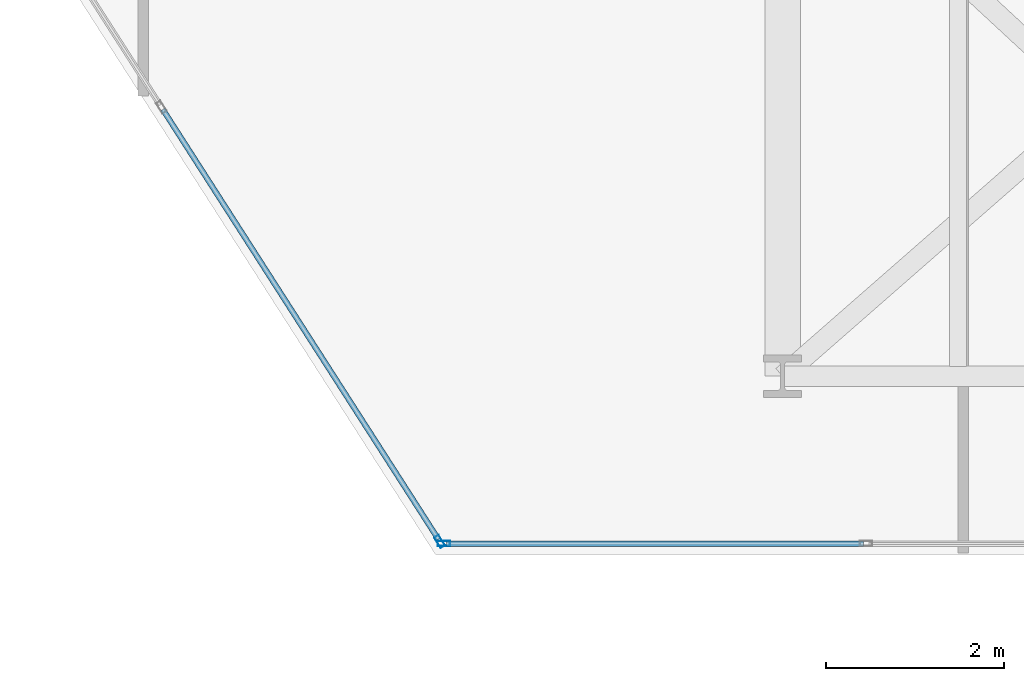
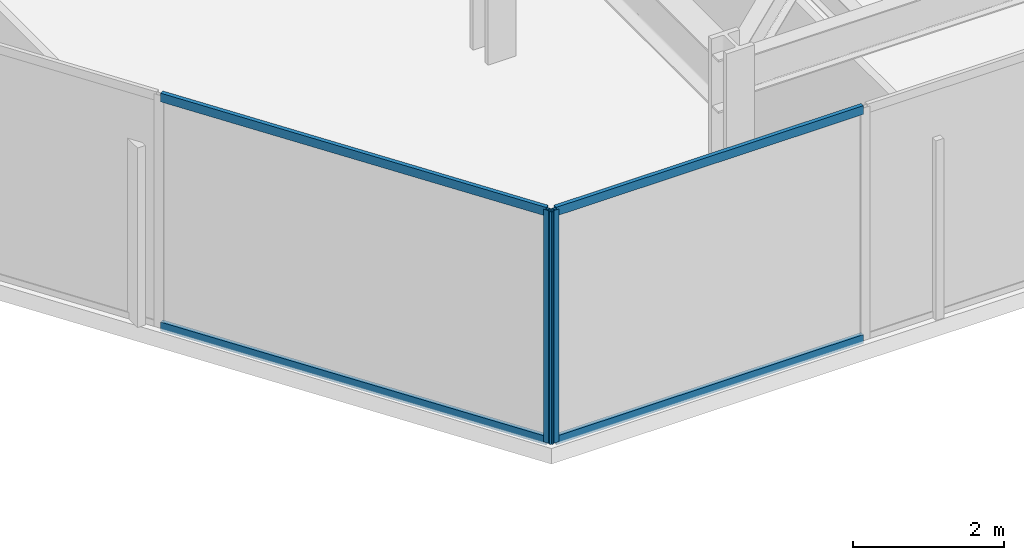
# One storey, part 9 of 24: 6 members, 2 elements without a shape of their own.
"""IFC4 building model written with IfcOpenShell, lengths in metres."""

from ifc_helpers import new_model, si_unit, direction, frame, origin, origin_2d, place, context, subcontext, project, spatial, hollow_rectangle, extrude, material, layer, layer_set, material_profile, profile_set, type_object, element, aggregate, save


model = new_model("IFC4")

# Units and contexts
model_context = context("Model", 3, precision=1e-05, world=origin(), true_north=direction((0.0, 1.0)))
body_context = subcontext(model_context, "Body", "Model", "MODEL_VIEW")
ifc_project = project(units=[si_unit("LENGTHUNIT", "METRE"), si_unit("AREAUNIT", "SQUARE_METRE"), si_unit("VOLUMEUNIT", "CUBIC_METRE"), si_unit("PLANEANGLEUNIT", "RADIAN"), si_unit("MASSUNIT", "GRAM", prefix="KILO")], contexts=[model_context])

# Site, building, storey
site_placement = place(None, origin())
site = spatial("IfcSite", under=ifc_project, at=site_placement, CompositionType="ELEMENT")
building_placement = place(site_placement, origin())
building = spatial("IfcBuilding", under=site, at=building_placement, Name="Kravanh Interchange Tower", CompositionType="ELEMENT")
storey_placement = place(building_placement, frame((0.0, 0.0, 96.0)))
storey = spatial("IfcBuildingStorey", under=building, at=storey_placement, Name="L22", CompositionType="ELEMENT", Elevation=96.0)

# Curtain wall, member
ifc_material_1 = material(Name="Anodised Bronze Aluminium", Category="aluminium")
ifc_layer = layer(ifc_material_1, 0.179931640625)
ifc_layer_set = layer_set([ifc_layer], Name="Unitised Curtain Wall System CW-Z2 Mid Office")
curtain_wall_type = type_object("IfcCurtainWallType", Name="Unitised Curtain Wall System CW-Z2 Mid Office", PredefinedType="NOTDEFINED", material=ifc_layer_set)
curtain_wall_1_placement = place(storey_placement, origin())
curtain_wall_1 = element("IfcCurtainWall", 1, at=curtain_wall_1_placement, inside=storey, type_object=curtain_wall_type, Name="L22 Unitised Curtain Wall CW-L22-03", PredefinedType="NOTDEFINED")
ifc_material_2 = material(Name="Anodised Bronze Aluminium", Category="aluminium")
ifc_material_profile_1 = material_profile(ifc_material_2, hollow_rectangle(XDim=0.06005859375, YDim=0.139892578125, WallThickness=0.00390625, at=origin_2d()), Name="ALU60X140X4")
ifc_profile_set_1 = profile_set([ifc_material_profile_1], Name="Anodised Bronze Aluminium")
member_type_1 = type_object("IfcMemberType", Name="Curtain Wall Mullion ALU60X140X4 Bronze", PredefinedType="MULLION", material=ifc_profile_set_1)
member_1_placement = place(storey_placement, frame((52.195556640625, 6.320068359375, 0.0), z_axis=(0.0, 0.0, 1.0), x_axis=(0.0, -1.0, 0.0)))
member_1 = element("IfcMember", 2, at=member_1_placement, type_object=member_type_1, Name="CW-Z2 mullion 3", PredefinedType="MULLION", context=body_context, shape_type="SweptSolid", body=[
    extrude(hollow_rectangle(XDim=0.06005859375, YDim=0.139892578125, WallThickness=0.00390625, at=origin_2d()), origin(), (0.0, 0.0, 1.0), 3.75),
])

curtain_wall_2_placement = place(storey_placement, origin())
curtain_wall_2 = element("IfcCurtainWall", 3, at=curtain_wall_2_placement, inside=storey, type_object=curtain_wall_type, Name="L22 Unitised Curtain Wall CW-L22-04", PredefinedType="NOTDEFINED")
member_2_placement = place(storey_placement, frame((52.1494140625, 6.34521484375, 0.0), z_axis=(0.0, 0.0, 1.0), x_axis=(-0.841879939476, -0.539664865919, 0.0)))
member_2 = element("IfcMember", 4, at=member_2_placement, type_object=member_type_1, Name="CW-Z2 mullion 1", PredefinedType="MULLION", context=body_context, shape_type="SweptSolid", body=[
    extrude(hollow_rectangle(XDim=0.06005859375, YDim=0.139892578125, WallThickness=0.00390625, at=origin_2d()), origin(), (0.0, 0.0, 1.0), 3.75),
])

# Member
ifc_material_3 = material(Name="Anodised Bronze Aluminium", Category="aluminium")
ifc_material_profile_2 = material_profile(ifc_material_3, hollow_rectangle(XDim=0.06005859375, YDim=0.139892578125, WallThickness=0.00390625, at=origin_2d()), Name="ALU60X140X4")
ifc_profile_set_2 = profile_set([ifc_material_profile_2], Name="Anodised Bronze Aluminium")
member_type_2 = type_object("IfcMemberType", Name="Curtain Wall Transom ALU60X140X4 Bronze", PredefinedType="USERDEFINED", material=ifc_profile_set_2)
member_3_placement = place(storey_placement, frame((56.907958984375, 6.320068359375, 0.030029296875), z_axis=(-1.0, 0.0, 0.0), x_axis=(0.0, -1.0, 0.0)))
member_3 = element("IfcMember", 5, at=member_3_placement, type_object=member_type_2, Name="CW-Z2 transom 2.1", ObjectType="TRANSOM", PredefinedType="USERDEFINED", context=body_context, shape_type="SweptSolid", body=[
    extrude(hollow_rectangle(XDim=0.06005859375, YDim=0.139892578125, WallThickness=0.00390625, at=origin_2d()), origin(), (0.0, 0.0, 1.0), 4.682373046875),
])

member_4_placement = place(storey_placement, frame((56.907958984375, 6.320068359375, 3.719970703125), z_axis=(-1.0, 0.0, 0.0), x_axis=(0.0, -1.0, 0.0)))
member_4 = element("IfcMember", 6, at=member_4_placement, type_object=member_type_2, Name="CW-Z2 transom 2.2", ObjectType="TRANSOM", PredefinedType="USERDEFINED", context=body_context, shape_type="SweptSolid", body=[
    extrude(hollow_rectangle(XDim=0.06005859375, YDim=0.139892578125, WallThickness=0.00390625, at=origin_2d()), origin(), (0.0, 0.0, 1.0), 4.682373046875),
])

aggregate(curtain_wall_1, [member_1, member_3, member_4])

member_5_placement = place(storey_placement, frame((52.13330078125, 6.37060546875, 0.030029296875), z_axis=(-0.539697855812, 0.841858791266, 0.0), x_axis=(-0.841858791266, -0.539697855812, 0.0)))
member_5 = element("IfcMember", 7, at=member_5_placement, type_object=member_type_2, Name="CW-Z2 transom 1.1", ObjectType="TRANSOM", PredefinedType="USERDEFINED", context=body_context, shape_type="SweptSolid", body=[
    extrude(hollow_rectangle(XDim=0.06005859375, YDim=0.139892578125, WallThickness=0.00390625, at=origin_2d()), origin(), (0.0, 0.0, 1.0), 5.73095703125),
])

member_6_placement = place(storey_placement, frame((52.13330078125, 6.37060546875, 3.719970703125), z_axis=(-0.539697855812, 0.841858791266, 0.0), x_axis=(-0.841858791266, -0.539697855812, 0.0)))
member_6 = element("IfcMember", 8, at=member_6_placement, type_object=member_type_2, Name="CW-Z2 transom 1.2", ObjectType="TRANSOM", PredefinedType="USERDEFINED", context=body_context, shape_type="SweptSolid", body=[
    extrude(hollow_rectangle(XDim=0.06005859375, YDim=0.139892578125, WallThickness=0.00390625, at=origin_2d()), origin(), (0.0, 0.0, 1.0), 5.73095703125),
])

aggregate(curtain_wall_2, [member_2, member_5, member_6])

save(model, "model.ifc")
